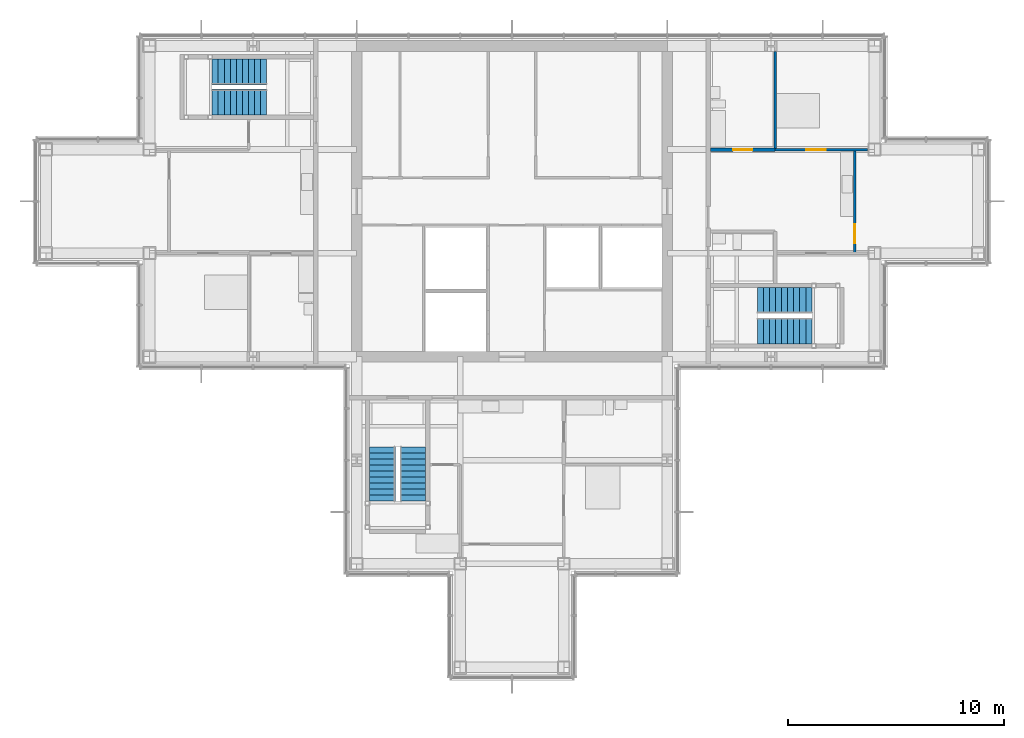
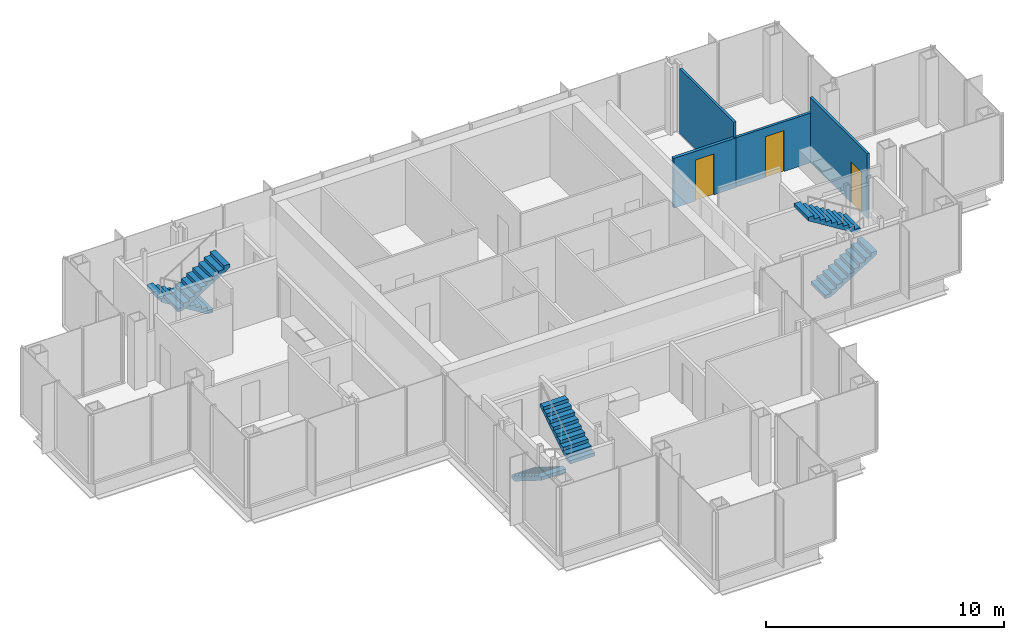
# One storey, part 12 of 15: 6 stair flights, 4 walls, 3 doors, 3 openings, 3 elements without a shape of their own.
"""IFC4 building model written with IfcOpenShell, lengths in metres."""

import ifcopenshell
import ifcopenshell.guid

model = None  # the IFC model being written
_history = None  # IfcOwnerHistory: only IFC2X3 demands one
_inside = {}  # id of a spatial element -> (the spatial element, [elements in it])
_under = {}  # id of a project, library or spatial element -> (it, [spatial elements below it])
_declared = {}  # id of a project -> (the project, [libraries it declares])
_typed = {}  # id of a type object -> (the type object, [elements of that type])
_made_of = {}  # id of a material, layer set ... -> (it, [elements and type objects made of it])


def new_model(schema):
    """Start an empty IFC model of exactly this schema.

    Asked for "IFC4X3", IfcOpenShell would pick the latest addendum, in which some entities
    have other attributes; the version numbers below select the first issue.
    IFC2X3 requires an IfcOwnerHistory on every rooted entity: one is made here for all.
    """
    global model, _history
    if schema == "IFC4X3":
        model = ifcopenshell.file(schema_version=(4, 3, 0, 0))
    else:
        model = ifcopenshell.file(schema=schema)
    _inside.clear()
    _under.clear()
    _declared.clear()
    _typed.clear()
    _made_of.clear()
    _history = None
    if model.schema == "IFC2X3":
        org = make("IfcOrganization", Name="unknown")
        user = make(
            "IfcPersonAndOrganization",
            ThePerson=make("IfcPerson", FamilyName="unknown"),
            TheOrganization=org,
        )
        app = make(
            "IfcApplication",
            ApplicationDeveloper=org,
            Version="unknown",
            ApplicationFullName="unknown",
            ApplicationIdentifier="unknown",
        )
        _history = make(
            "IfcOwnerHistory",
            OwningUser=user,
            OwningApplication=app,
            ChangeAction="ADDED",
            CreationDate=0,
        )
    return model


def make(cls, **values):
    """One entity of the class cls with the attributes given. An attribute that is None is left unset."""
    return model.create_entity(
        cls, **{name: value for name, value in values.items() if value is not None}
    )


def rooted(cls, **values):
    """An entity with a GlobalId (a new one), such as an element, a storey or a relation."""
    return make(cls, GlobalId=ifcopenshell.guid.new(), OwnerHistory=_history, **values)


def si_unit(unit_type, name, prefix=None):
    """IfcSIUnit, for example si_unit("LENGTHUNIT", "METRE", prefix="MILLI")."""
    return make("IfcSIUnit", UnitType=unit_type, Prefix=prefix, Name=name)


def assignment(units):
    """IfcUnitAssignment: the units of a project."""
    return None if units is None else make("IfcUnitAssignment", Units=units)


def point(xyz):
    """IfcCartesianPoint."""
    return None if xyz is None else make("IfcCartesianPoint", Coordinates=xyz)


def direction(xyz):
    """IfcDirection."""
    return None if xyz is None else make("IfcDirection", DirectionRatios=xyz)


def frame(location, z_axis=None, x_axis=None):
    """IfcAxis2Placement3D, a coordinate frame: its origin and axes. An axis left out is left unset."""
    return make(
        "IfcAxis2Placement3D",
        Location=point(location),
        Axis=direction(z_axis),
        RefDirection=direction(x_axis),
    )


def frame_2d(location, x_axis=None):
    """IfcAxis2Placement2D, a coordinate frame in the plane: its origin and x axis."""
    return make(
        "IfcAxis2Placement2D", Location=point(location), RefDirection=direction(x_axis)
    )


def origin():
    """The frame at (0, 0, 0) with its axes left unset."""
    return frame((0.0, 0.0, 0.0))


def place(relative_to, where):
    """IfcLocalPlacement: puts the frame where relative to a parent placement (None: the world)."""
    return make(
        "IfcLocalPlacement", PlacementRelTo=relative_to, RelativePlacement=where
    )


def context(
    kind, dimensions, precision=None, world=None, true_north=None, identifier=None
):
    """IfcGeometricRepresentationContext, for example the 3D "Model" context."""
    return make(
        "IfcGeometricRepresentationContext",
        ContextIdentifier=identifier,
        ContextType=kind,
        CoordinateSpaceDimension=dimensions,
        Precision=precision,
        WorldCoordinateSystem=world,
        TrueNorth=true_north,
    )


def subcontext(parent, identifier, kind, view, scale=None):
    """IfcGeometricRepresentationSubContext, for example "Body" below "Model"."""
    return make(
        "IfcGeometricRepresentationSubContext",
        ContextIdentifier=identifier,
        ContextType=kind,
        ParentContext=parent,
        TargetScale=scale,
        TargetView=view,
    )


def project(units=None, contexts=None):
    """IfcProject with its units and contexts."""
    return rooted(
        "IfcProject",
        Name="project",
        RepresentationContexts=contexts,
        UnitsInContext=assignment(units),
    )


def spatial(cls, under=None, at=None, **own):
    """A site, building, storey or space (cls), placed at a placement, below another one or the project."""
    s = rooted(cls, ObjectPlacement=at, **own)
    if under is not None:
        _under.setdefault(under.id(), (under, []))[1].append(s)
    return s


def polyline(points):
    """IfcPolyline through the points."""
    return make("IfcPolyline", Points=[point(p) for p in points])


def profile(cls, at=None, kind="AREA", **sizes):
    """A parametric profile (cls). Its sizes go by their IFC names, for example OverallWidth=200.0."""
    return make(cls, ProfileType=kind, Position=at, **sizes)


def rectangle(**sizes):
    """IfcRectangleProfileDef."""
    return profile("IfcRectangleProfileDef", **sizes)


def outline(outer, holes=None, kind="AREA"):
    """IfcArbitraryClosedProfileDef: a profile drawn as a closed curve; with holes, ...WithVoids."""
    if holes is None:
        return make("IfcArbitraryClosedProfileDef", ProfileType=kind, OuterCurve=outer)
    return make(
        "IfcArbitraryProfileDefWithVoids",
        ProfileType=kind,
        OuterCurve=outer,
        InnerCurves=holes,
    )


def extrude(swept, where, along, depth):
    """IfcExtrudedAreaSolid: the profile swept, set in the frame where, extruded along a direction by depth."""
    return make(
        "IfcExtrudedAreaSolid",
        SweptArea=swept,
        Position=where,
        ExtrudedDirection=direction(along),
        Depth=depth,
    )


def shape(context_of_items, identifier, shape_type, items):
    """IfcShapeRepresentation: the items that make up one representation, for example the "Body"."""
    return make(
        "IfcShapeRepresentation",
        ContextOfItems=context_of_items,
        RepresentationIdentifier=identifier,
        RepresentationType=shape_type,
        Items=items,
    )


def material(Name=None, Category=None):
    """IfcMaterial."""
    return make("IfcMaterial", Name=Name, Category=Category)


def layer(
    of_material, thickness, ventilated=None, Name=None, Category=None, Priority=None
):
    """IfcMaterialLayer: one layer of a wall or slab, of a material (None: an air gap)."""
    return make(
        "IfcMaterialLayer",
        Material=of_material,
        LayerThickness=thickness,
        IsVentilated=ventilated,
        Name=Name,
        Category=Category,
        Priority=Priority,
    )


def layer_set(layers, Name=None):
    """IfcMaterialLayerSet."""
    return make("IfcMaterialLayerSet", MaterialLayers=layers, LayerSetName=Name)


def made_of(thing, what):
    """Note that an element or type object is made of a material, layer set ...; save() writes the relation."""
    if what is not None:
        _made_of.setdefault(what.id(), (what, []))[1].append(thing)
    return thing


def type_object(cls, material=None, **own):
    """A type object (cls), such as IfcWallType, which elements share."""
    return made_of(rooted(cls, **own), material)


def element(
    cls,
    number,
    at=None,
    inside=None,
    cuts=None,
    type_object=None,
    material=None,
    context=None,
    identifier="Body",
    shape_type=None,
    held_by="IfcProductDefinitionShape",
    body=None,
    shapes=None,
    **own,
):
    """One element of the class cls, such as IfcWall. Its Tag is "e" and its number.

    at: its placement. inside: the storey or other place that contains it. cuts: it is an
    opening in that element (IfcRelVoidsElement). A single representation is given by context,
    identifier, shape_type and body (its items); several are given by shapes. held_by: the class
    of the entity that holds the representations. save() writes the other relations.
    """
    e = rooted(cls, Tag="e%d" % number, ObjectPlacement=at, **own)
    if body is not None:
        shapes = [shape(context, identifier, shape_type, body)]
    if shapes is not None:
        e.Representation = make(held_by, Representations=shapes)
    if inside is not None:
        _inside.setdefault(inside.id(), (inside, []))[1].append(e)
    if cuts is not None:
        rooted(
            "IfcRelVoidsElement", RelatingBuildingElement=cuts, RelatedOpeningElement=e
        )
    if type_object is not None:
        _typed.setdefault(type_object.id(), (type_object, []))[1].append(e)
    return made_of(e, material)


def fill(opening, filler):
    """IfcRelFillsElement: the door or window that sits in an opening."""
    return rooted(
        "IfcRelFillsElement",
        RelatingOpeningElement=opening,
        RelatedBuildingElement=filler,
    )


def aggregate(whole, parts):
    """IfcRelAggregates: a whole, such as a stair, and the parts it consists of."""
    return rooted("IfcRelAggregates", RelatingObject=whole, RelatedObjects=parts)


def save(model, path):
    """Write the relations noted so far, then the file.

    IfcRelAggregates (storeys below a building ...), IfcRelContainedInSpatialStructure (elements
    in a storey), IfcRelDefinesByType, IfcRelAssociatesMaterial and IfcRelDeclares: one each for
    every whole, place, type object, material and project.
    """
    for whole, parts in _under.values():
        aggregate(whole, parts)
    for where, things in _inside.values():
        rooted(
            "IfcRelContainedInSpatialStructure",
            RelatedElements=things,
            RelatingStructure=where,
        )
    for kind, things in _typed.values():
        rooted("IfcRelDefinesByType", RelatedObjects=things, RelatingType=kind)
    for what, things in _made_of.values():
        rooted("IfcRelAssociatesMaterial", RelatedObjects=things, RelatingMaterial=what)
    for by, libraries in _declared.values():
        rooted("IfcRelDeclares", RelatingContext=by, RelatedDefinitions=libraries)
    model.write(path)


model = new_model("IFC4")

# Units and contexts
model_context = context("Model", 3, precision=1e-05, world=origin(), true_north=direction((0.0, 1.0)))
body_context = subcontext(model_context, "Body", "Model", "MODEL_VIEW")
ifc_project = project(units=[si_unit("LENGTHUNIT", "METRE"), si_unit("AREAUNIT", "SQUARE_METRE"), si_unit("VOLUMEUNIT", "CUBIC_METRE"), si_unit("PLANEANGLEUNIT", "RADIAN"), si_unit("MASSUNIT", "GRAM", prefix="KILO")], contexts=[model_context])

# Site, building, storey
site_placement = place(None, origin())
site = spatial("IfcSite", under=ifc_project, at=site_placement, CompositionType="ELEMENT")
building_placement = place(site_placement, origin())
building = spatial("IfcBuilding", under=site, at=building_placement, Name="Kvirike Care Tower", CompositionType="ELEMENT")
storey_placement = place(building_placement, frame((0.0, 0.0, 198.0)))
storey = spatial("IfcBuildingStorey", under=building, at=storey_placement, Name="L54", CompositionType="ELEMENT", Elevation=198.0)

# Wall, opening, door
ifc_material_1 = material(Name="Moisture-resistant board partition", Category="gypsum")
ifc_layer_1 = layer(ifc_material_1, 0.14990234375)
ifc_layer_set_1 = layer_set([ifc_layer_1], Name="BATHROOM WALL 150")
wall_type_1 = type_object("IfcWallType", Name="BATHROOM WALL 150", PredefinedType="PARTITIONING", material=ifc_layer_set_1)
wall_1_placement = place(storey_placement, frame((33.800048828125, 38.39990234375, 0.0), z_axis=(0.0, 0.0, 1.0), x_axis=(-1.0, 0.0, 0.0)))
wall_1 = element("IfcWall", 1, at=wall_1_placement, inside=storey, type_object=wall_type_1, Name="Bathroom Wall 150 L54", PredefinedType="PARTITIONING", context=body_context, shape_type="SweptSolid", body=[
    extrude(rectangle(XDim=3.0, YDim=0.14990234375, at=frame_2d((1.5, 0.0))), origin(), (0.0, 0.0, 1.0), 2.550048828125),
])
opening_1_placement = place(wall_1_placement, frame((1.050048828125, 0.0, 0.0)))
opening_1 = element("IfcOpeningElement", 2, at=opening_1_placement, cuts=wall_1, Name="Opening 54-013", PredefinedType="OPENING", context=body_context, shape_type="SweptSolid", body=[
    extrude(rectangle(XDim=0.89990234375, YDim=2.10009765625, at=frame_2d((0.449951171875, 1.050048828125))), frame((0.0, 0.08544921875, 0.0), z_axis=(0.0, -1.0, 0.0), x_axis=(1.0, 0.0, 0.0)), (0.0, 0.0, 1.0), 0.1708984375),
])
ifc_material_2 = material(Name="Timber door set", Category="wood")
door_type_1 = type_object("IfcDoorType", Name="BATHROOM DOOR 900", OperationType="SINGLE_SWING_RIGHT", PredefinedType="DOOR", material=ifc_material_2)
door_1_placement = place(opening_1_placement, frame((0.89990234375, 0.0, 0.0), z_axis=(0.0, 0.0, 1.0), x_axis=(-1.0, 0.0, 0.0)))
door_1 = element("IfcDoor", 3, at=door_1_placement, inside=storey, type_object=door_type_1, Name="Bathroom door", OperationType="SINGLE_SWING_RIGHT", OverallHeight=2.10009765625, OverallWidth=0.89990234375, PredefinedType="DOOR", context=body_context, shape_type="SweptSolid", body=[
    extrude(rectangle(XDim=0.89990234375, YDim=2.10009765625, at=frame_2d((0.449951171875, 1.050048828125))), frame((0.0, 0.02197265625, 0.0), z_axis=(0.0, -1.0, 0.0), x_axis=(1.0, 0.0, 0.0)), (0.0, 0.0, 1.0), 0.0439453125),
])
fill(opening_1, door_1)

ifc_material_3 = material(Name="Plasterboard partition", Category="gypsum")
ifc_layer_2 = layer(ifc_material_3, 0.1201171875)
ifc_layer_set_2 = layer_set([ifc_layer_2], Name="PARTITION 120")
wall_type_2 = type_object("IfcWallType", Name="PARTITION 120", PredefinedType="PARTITIONING", material=ifc_layer_set_2)
wall_2_placement = place(storey_placement, frame((37.5, 33.60009765625, 0.0), z_axis=(0.0, 0.0, 1.0), x_axis=(0.0, 1.0, 0.0)))
wall_2 = element("IfcWall", 4, at=wall_2_placement, inside=storey, type_object=wall_type_2, Name="Partition 120 L54", PredefinedType="PARTITIONING", context=body_context, shape_type="SweptSolid", body=[
    extrude(rectangle(XDim=4.7998046875, YDim=0.1201171875, at=frame_2d((2.39990234375, 0.0))), origin(), (0.0, 0.0, 1.0), 3.330078125),
])
opening_2_placement = place(wall_2_placement, frame((0.449951171875, 0.0, 0.0)))
opening_2 = element("IfcOpeningElement", 5, at=opening_2_placement, cuts=wall_2, Name="Opening 54-014", PredefinedType="OPENING", context=body_context, shape_type="SweptSolid", body=[
    extrude(rectangle(XDim=0.89990234375, YDim=2.10009765625, at=frame_2d((0.449951171875, 1.050048828125))), frame((0.0, 0.070556640625, 0.0), z_axis=(0.0, -1.0, 0.0), x_axis=(1.0, 0.0, 0.0)), (0.0, 0.0, 1.0), 0.14111328125),
])
ifc_material_4 = material(Name="Timber door set", Category="wood")
door_type_2 = type_object("IfcDoorType", Name="INTERNAL DOOR 900", OperationType="SINGLE_SWING_LEFT", PredefinedType="DOOR", material=ifc_material_4)
door_2_placement = place(opening_2_placement, frame((0.89990234375, 0.0, 0.0), z_axis=(0.0, 0.0, 1.0), x_axis=(-1.0, 0.0, 0.0)))
door_2 = element("IfcDoor", 6, at=door_2_placement, inside=storey, type_object=door_type_2, Name="Apartment living room door", OperationType="SINGLE_SWING_LEFT", OverallHeight=2.10009765625, OverallWidth=0.89990234375, PredefinedType="DOOR", context=body_context, shape_type="SweptSolid", body=[
    extrude(rectangle(XDim=0.89990234375, YDim=2.10009765625, at=frame_2d((0.449951171875, 1.050048828125))), frame((0.0, 0.02197265625, 0.0), z_axis=(0.0, -1.0, 0.0), x_axis=(1.0, 0.0, 0.0)), (0.0, 0.0, 1.0), 0.0439453125),
])
fill(opening_2, door_2)

# Wall
wall_3_placement = place(storey_placement, frame((33.800048828125, 38.39990234375, 0.0), z_axis=(0.0, 0.0, 1.0), x_axis=(0.0, 1.0, 0.0)))
element("IfcWall", 7, at=wall_3_placement, inside=storey, type_object=wall_type_2, Name="Partition 120 L54", PredefinedType="PARTITIONING", context=body_context, shape_type="SweptSolid", body=[
    extrude(rectangle(XDim=4.552978515625, YDim=0.1201171875, at=frame_2d((2.2763671875, 0.0))), origin(), (0.0, 0.0, 1.0), 3.330078125),
])

# Wall, opening, door
wall_4_placement = place(storey_placement, frame((38.080078125, 38.39990234375, 0.0), z_axis=(0.0, 0.0, 1.0), x_axis=(-1.0, 0.0, 0.0)))
wall_4 = element("IfcWall", 8, at=wall_4_placement, inside=storey, type_object=wall_type_2, Name="Partition 120 L54", PredefinedType="PARTITIONING", context=body_context, shape_type="SweptSolid", body=[
    extrude(rectangle(XDim=4.280029296875, YDim=0.1201171875, at=frame_2d((2.14013671875, 0.0))), origin(), (0.0, 0.0, 1.0), 2.550048828125),
])
opening_3_placement = place(wall_4_placement, frame((1.929931640625, 0.0, 0.0)))
opening_3 = element("IfcOpeningElement", 9, at=opening_3_placement, cuts=wall_4, Name="Opening 54-016", PredefinedType="OPENING", context=body_context, shape_type="SweptSolid", body=[
    extrude(rectangle(XDim=0.89990234375, YDim=2.10009765625, at=frame_2d((0.449951171875, 1.050048828125))), frame((0.0, 0.070556640625, 0.0), z_axis=(0.0, -1.0, 0.0), x_axis=(1.0, 0.0, 0.0)), (0.0, 0.0, 1.0), 0.14111328125),
])
door_3_placement = place(opening_3_placement, frame((0.89990234375, 0.0, 0.0), z_axis=(0.0, 0.0, 1.0), x_axis=(-1.0, 0.0, 0.0)))
door_3 = element("IfcDoor", 10, at=door_3_placement, inside=storey, type_object=door_type_2, Name="Connecting door", OperationType="SINGLE_SWING_RIGHT", OverallHeight=2.10009765625, OverallWidth=0.89990234375, PredefinedType="DOOR", context=body_context, shape_type="SweptSolid", body=[
    extrude(rectangle(XDim=0.89990234375, YDim=2.10009765625, at=frame_2d((0.449951171875, 1.050048828125))), frame((0.0, 0.02197265625, 0.0), z_axis=(0.0, -1.0, 0.0), x_axis=(1.0, 0.0, 0.0)), (0.0, 0.0, 1.0), 0.0439453125),
])
fill(opening_3, door_3)

# Stair, stair flights
ifc_material_5 = material(Name="Concrete C35/45", Category="concrete")
stair_type = type_object("IfcStairType", Name="STAIR 20 RISERS", PredefinedType="HALF_TURN_STAIR", material=ifc_material_5)
stair_1_placement = place(storey_placement, origin())
stair_1 = element("IfcStair", 11, at=stair_1_placement, inside=storey, type_object=stair_type, Name="Stair 1 L54", PredefinedType="HALF_TURN_STAIR")
ifc_material_6 = material(Name="Concrete C35/45", Category="concrete")
stair_flight_type = type_object("IfcStairFlightType", Name="FLIGHT 10 RISERS", PredefinedType="STRAIGHT", material=ifc_material_6)
stair_flight_1_placement = place(storey_placement, frame((10.219970703125, 42.0, 0.0), z_axis=(0.0, 0.0, 1.0), x_axis=(-1.0, 0.0, 0.0)))
stair_flight_1 = element("IfcStairFlight", 12, at=stair_flight_1_placement, type_object=stair_flight_type, Name="Stair S1 flight 1 L54-L55", NumberOfRisers=10, NumberOfTreads=9, PredefinedType="STRAIGHT", RiserHeight=0.175, TreadLength=0.28, context=body_context, shape_type="SweptSolid", body=[
    extrude(outline(polyline([(0.0, 0.0), (0.0, 0.175048828125), (0.280029296875, 0.175048828125), (0.280029296875, 0.35009765625), (0.56005859375, 0.35009765625), (0.56005859375, 0.52490234375), (0.840087890625, 0.52490234375), (0.840087890625, 0.699951171875), (1.1201171875, 0.699951171875), (1.1201171875, 0.875), (1.39990234375, 0.875), (1.39990234375, 1.050048828125), (1.679931640625, 1.050048828125), (1.679931640625, 1.22509765625), (1.9599609375, 1.22509765625), (1.9599609375, 1.39990234375), (2.239990234375, 1.39990234375), (2.239990234375, 1.574951171875), (2.52001953125, 1.574951171875), (2.52001953125, 1.75), (2.52001953125, 1.398193359375), (0.28271484375, 0.0), (0.0, 0.0)])), frame((0.0, 0.60009765625, 0.0), z_axis=(0.0, -1.0, 0.0), x_axis=(1.0, 0.0, 0.0)), (0.0, 0.0, 1.0), 1.199951171875),
])
stair_flight_2_placement = place(storey_placement, frame((7.699951171875, 40.60009765625, 1.75), z_axis=(0.0, 0.0, 1.0), x_axis=(1.0, 0.0, 0.0)))
stair_flight_2 = element("IfcStairFlight", 13, at=stair_flight_2_placement, type_object=stair_flight_type, Name="Stair S1 flight 2 L54-L55", NumberOfRisers=10, NumberOfTreads=9, PredefinedType="STRAIGHT", RiserHeight=0.175, TreadLength=0.28, context=body_context, shape_type="SweptSolid", body=[
    extrude(outline(polyline([(0.0, 0.0), (0.0, 0.175048828125), (0.280029296875, 0.175048828125), (0.280029296875, 0.35009765625), (0.56005859375, 0.35009765625), (0.56005859375, 0.52490234375), (0.840087890625, 0.52490234375), (0.840087890625, 0.699951171875), (1.1201171875, 0.699951171875), (1.1201171875, 0.875), (1.39990234375, 0.875), (1.39990234375, 1.050048828125), (1.679931640625, 1.050048828125), (1.679931640625, 1.22509765625), (1.9599609375, 1.22509765625), (1.9599609375, 1.39990234375), (2.239990234375, 1.39990234375), (2.239990234375, 1.574951171875), (2.52001953125, 1.574951171875), (2.52001953125, 1.75), (2.52001953125, 1.398193359375), (0.28271484375, 0.0), (0.0, 0.0)])), frame((0.0, 0.60009765625, 0.0), z_axis=(0.0, -1.0, 0.0), x_axis=(1.0, 0.0, 0.0)), (0.0, 0.0, 1.0), 1.199951171875),
])
aggregate(stair_1, [stair_flight_1, stair_flight_2])

stair_2_placement = place(storey_placement, origin())
stair_2 = element("IfcStair", 14, at=stair_2_placement, inside=storey, type_object=stair_type, Name="Stair 2 L54", PredefinedType="HALF_TURN_STAIR")
stair_flight_3_placement = place(storey_placement, frame((32.97998046875, 30.0, 0.0), z_axis=(0.0, 0.0, 1.0), x_axis=(1.0, 0.0, 0.0)))
stair_flight_3 = element("IfcStairFlight", 15, at=stair_flight_3_placement, type_object=stair_flight_type, Name="Stair S2 flight 1 L54-L55", NumberOfRisers=10, NumberOfTreads=9, PredefinedType="STRAIGHT", RiserHeight=0.175, TreadLength=0.28, context=body_context, shape_type="SweptSolid", body=[
    extrude(outline(polyline([(0.0, 0.0), (0.0, 0.175048828125), (0.280029296875, 0.175048828125), (0.280029296875, 0.35009765625), (0.56005859375, 0.35009765625), (0.56005859375, 0.52490234375), (0.840087890625, 0.52490234375), (0.840087890625, 0.699951171875), (1.1201171875, 0.699951171875), (1.1201171875, 0.875), (1.39990234375, 0.875), (1.39990234375, 1.050048828125), (1.679931640625, 1.050048828125), (1.679931640625, 1.22509765625), (1.9599609375, 1.22509765625), (1.9599609375, 1.39990234375), (2.239990234375, 1.39990234375), (2.239990234375, 1.574951171875), (2.52001953125, 1.574951171875), (2.52001953125, 1.75), (2.52001953125, 1.398193359375), (0.28271484375, 0.0), (0.0, 0.0)])), frame((0.0, 0.60009765625, 0.0), z_axis=(0.0, -1.0, 0.0), x_axis=(1.0, 0.0, 0.0)), (0.0, 0.0, 1.0), 1.199951171875),
])
stair_flight_4_placement = place(storey_placement, frame((35.5, 31.39990234375, 1.75), z_axis=(0.0, 0.0, 1.0), x_axis=(-1.0, 0.0, 0.0)))
stair_flight_4 = element("IfcStairFlight", 16, at=stair_flight_4_placement, type_object=stair_flight_type, Name="Stair S2 flight 2 L54-L55", NumberOfRisers=10, NumberOfTreads=9, PredefinedType="STRAIGHT", RiserHeight=0.175, TreadLength=0.28, context=body_context, shape_type="SweptSolid", body=[
    extrude(outline(polyline([(0.0, 0.0), (0.0, 0.175048828125), (0.280029296875, 0.175048828125), (0.280029296875, 0.35009765625), (0.56005859375, 0.35009765625), (0.56005859375, 0.52490234375), (0.840087890625, 0.52490234375), (0.840087890625, 0.699951171875), (1.1201171875, 0.699951171875), (1.1201171875, 0.875), (1.39990234375, 0.875), (1.39990234375, 1.050048828125), (1.679931640625, 1.050048828125), (1.679931640625, 1.22509765625), (1.9599609375, 1.22509765625), (1.9599609375, 1.39990234375), (2.239990234375, 1.39990234375), (2.239990234375, 1.574951171875), (2.52001953125, 1.574951171875), (2.52001953125, 1.75), (2.52001953125, 1.398193359375), (0.28271484375, 0.0), (0.0, 0.0)])), frame((0.0, 0.60009765625, 0.0), z_axis=(0.0, -1.0, 0.0), x_axis=(1.0, 0.0, 0.0)), (0.0, 0.0, 1.0), 1.199951171875),
])
aggregate(stair_2, [stair_flight_3, stair_flight_4])

stair_3_placement = place(storey_placement, origin())
stair_3 = element("IfcStair", 17, at=stair_3_placement, inside=storey, type_object=stair_type, Name="Stair 5 L54", PredefinedType="HALF_TURN_STAIR")
stair_flight_5_placement = place(storey_placement, frame((15.60009765625, 24.6201171875, 0.0), z_axis=(0.0, 0.0, 1.0), x_axis=(0.0, -1.0, 0.0)))
stair_flight_5 = element("IfcStairFlight", 18, at=stair_flight_5_placement, type_object=stair_flight_type, Name="Stair S5 flight 1 L54-L55", NumberOfRisers=10, NumberOfTreads=9, PredefinedType="STRAIGHT", RiserHeight=0.175, TreadLength=0.28, context=body_context, shape_type="SweptSolid", body=[
    extrude(outline(polyline([(0.0, 0.0), (0.0, 0.175048828125), (0.280029296875, 0.175048828125), (0.280029296875, 0.35009765625), (0.56005859375, 0.35009765625), (0.56005859375, 0.52490234375), (0.840087890625, 0.52490234375), (0.840087890625, 0.699951171875), (1.1201171875, 0.699951171875), (1.1201171875, 0.875), (1.39990234375, 0.875), (1.39990234375, 1.050048828125), (1.679931640625, 1.050048828125), (1.679931640625, 1.22509765625), (1.9599609375, 1.22509765625), (1.9599609375, 1.39990234375), (2.239990234375, 1.39990234375), (2.239990234375, 1.574951171875), (2.52001953125, 1.574951171875), (2.52001953125, 1.75), (2.52001953125, 1.398193359375), (0.28271484375, 0.0), (0.0, 0.0)])), frame((0.0, 0.60009765625, 0.0), z_axis=(0.0, -1.0, 0.0), x_axis=(1.0, 0.0, 0.0)), (0.0, 0.0, 1.0), 1.199951171875),
])
stair_flight_6_placement = place(storey_placement, frame((17.0, 22.10009765625, 1.75), z_axis=(0.0, 0.0, 1.0), x_axis=(0.0, 1.0, 0.0)))
stair_flight_6 = element("IfcStairFlight", 19, at=stair_flight_6_placement, type_object=stair_flight_type, Name="Stair S5 flight 2 L54-L55", NumberOfRisers=10, NumberOfTreads=9, PredefinedType="STRAIGHT", RiserHeight=0.175, TreadLength=0.28, context=body_context, shape_type="SweptSolid", body=[
    extrude(outline(polyline([(0.0, 0.0), (0.0, 0.175048828125), (0.280029296875, 0.175048828125), (0.280029296875, 0.35009765625), (0.56005859375, 0.35009765625), (0.56005859375, 0.52490234375), (0.840087890625, 0.52490234375), (0.840087890625, 0.699951171875), (1.1201171875, 0.699951171875), (1.1201171875, 0.875), (1.39990234375, 0.875), (1.39990234375, 1.050048828125), (1.679931640625, 1.050048828125), (1.679931640625, 1.22509765625), (1.9599609375, 1.22509765625), (1.9599609375, 1.39990234375), (2.239990234375, 1.39990234375), (2.239990234375, 1.574951171875), (2.52001953125, 1.574951171875), (2.52001953125, 1.75), (2.52001953125, 1.398193359375), (0.28271484375, 0.0), (0.0, 0.0)])), frame((0.0, 0.60009765625, 0.0), z_axis=(0.0, -1.0, 0.0), x_axis=(1.0, 0.0, 0.0)), (0.0, 0.0, 1.0), 1.199951171875),
])
aggregate(stair_3, [stair_flight_5, stair_flight_6])

save(model, "model.ifc")
